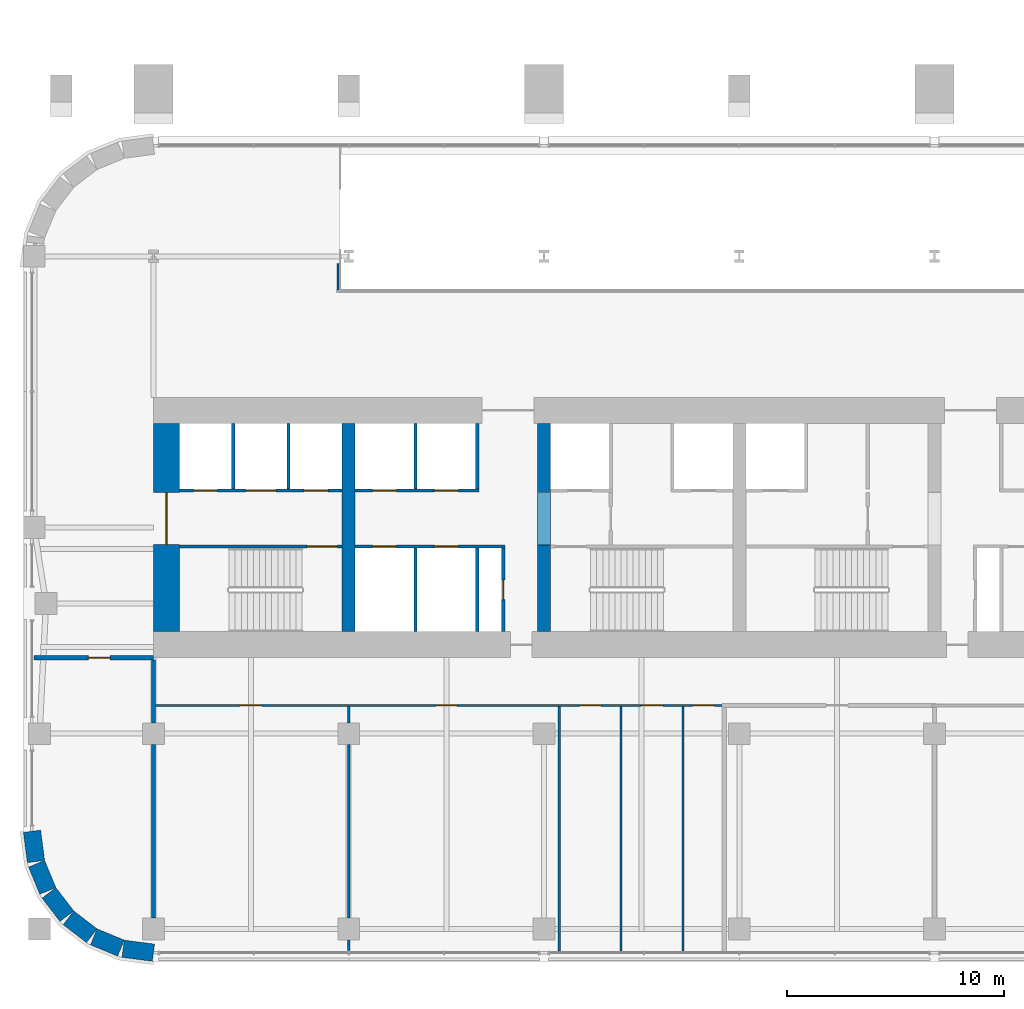
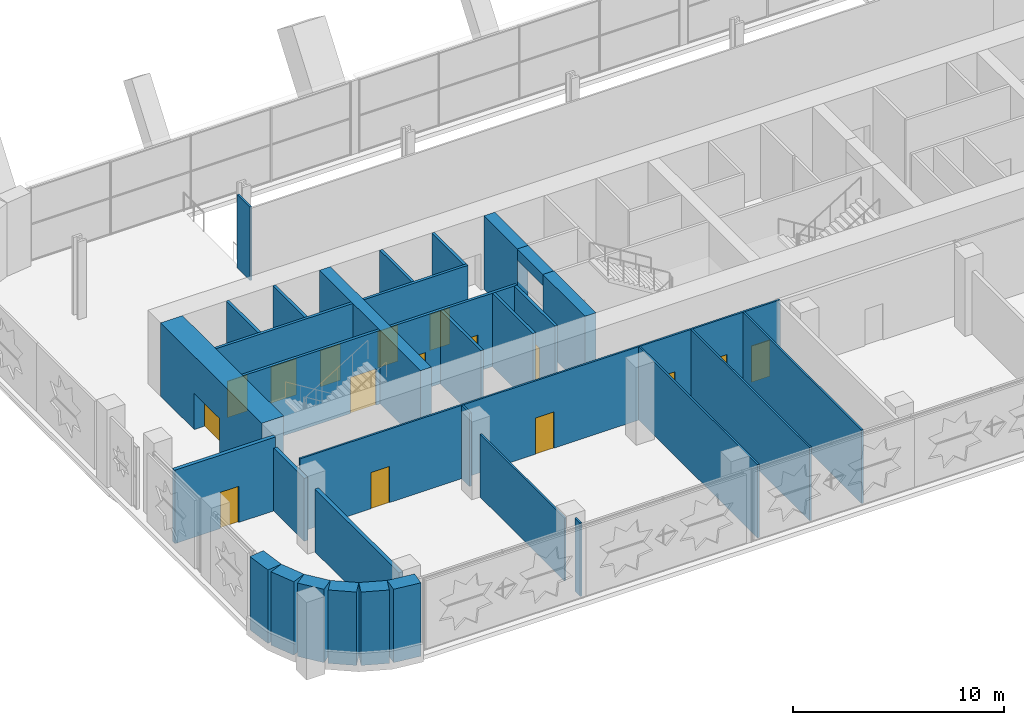
# One storey, part 13 of 21: 33 walls, 16 doors, 16 openings.
"""IFC4 building model written with IfcOpenShell, lengths in metres."""

import ifcopenshell
import ifcopenshell.guid

model = None  # the IFC model being written
_history = None  # IfcOwnerHistory: only IFC2X3 demands one
_inside = {}  # id of a spatial element -> (the spatial element, [elements in it])
_under = {}  # id of a project, library or spatial element -> (it, [spatial elements below it])
_declared = {}  # id of a project -> (the project, [libraries it declares])
_typed = {}  # id of a type object -> (the type object, [elements of that type])
_made_of = {}  # id of a material, layer set ... -> (it, [elements and type objects made of it])


def new_model(schema):
    """Start an empty IFC model of exactly this schema.

    Asked for "IFC4X3", IfcOpenShell would pick the latest addendum, in which some entities
    have other attributes; the version numbers below select the first issue.
    IFC2X3 requires an IfcOwnerHistory on every rooted entity: one is made here for all.
    """
    global model, _history
    if schema == "IFC4X3":
        model = ifcopenshell.file(schema_version=(4, 3, 0, 0))
    else:
        model = ifcopenshell.file(schema=schema)
    _inside.clear()
    _under.clear()
    _declared.clear()
    _typed.clear()
    _made_of.clear()
    _history = None
    if model.schema == "IFC2X3":
        org = make("IfcOrganization", Name="unknown")
        user = make(
            "IfcPersonAndOrganization",
            ThePerson=make("IfcPerson", FamilyName="unknown"),
            TheOrganization=org,
        )
        app = make(
            "IfcApplication",
            ApplicationDeveloper=org,
            Version="unknown",
            ApplicationFullName="unknown",
            ApplicationIdentifier="unknown",
        )
        _history = make(
            "IfcOwnerHistory",
            OwningUser=user,
            OwningApplication=app,
            ChangeAction="ADDED",
            CreationDate=0,
        )
    return model


def make(cls, **values):
    """One entity of the class cls with the attributes given. An attribute that is None is left unset."""
    return model.create_entity(
        cls, **{name: value for name, value in values.items() if value is not None}
    )


def rooted(cls, **values):
    """An entity with a GlobalId (a new one), such as an element, a storey or a relation."""
    return make(cls, GlobalId=ifcopenshell.guid.new(), OwnerHistory=_history, **values)


def si_unit(unit_type, name, prefix=None):
    """IfcSIUnit, for example si_unit("LENGTHUNIT", "METRE", prefix="MILLI")."""
    return make("IfcSIUnit", UnitType=unit_type, Prefix=prefix, Name=name)


def assignment(units):
    """IfcUnitAssignment: the units of a project."""
    return None if units is None else make("IfcUnitAssignment", Units=units)


def point(xyz):
    """IfcCartesianPoint."""
    return None if xyz is None else make("IfcCartesianPoint", Coordinates=xyz)


def direction(xyz):
    """IfcDirection."""
    return None if xyz is None else make("IfcDirection", DirectionRatios=xyz)


def frame(location, z_axis=None, x_axis=None):
    """IfcAxis2Placement3D, a coordinate frame: its origin and axes. An axis left out is left unset."""
    return make(
        "IfcAxis2Placement3D",
        Location=point(location),
        Axis=direction(z_axis),
        RefDirection=direction(x_axis),
    )


def frame_2d(location, x_axis=None):
    """IfcAxis2Placement2D, a coordinate frame in the plane: its origin and x axis."""
    return make(
        "IfcAxis2Placement2D", Location=point(location), RefDirection=direction(x_axis)
    )


def origin():
    """The frame at (0, 0, 0) with its axes left unset."""
    return frame((0.0, 0.0, 0.0))


def place(relative_to, where):
    """IfcLocalPlacement: puts the frame where relative to a parent placement (None: the world)."""
    return make(
        "IfcLocalPlacement", PlacementRelTo=relative_to, RelativePlacement=where
    )


def context(
    kind, dimensions, precision=None, world=None, true_north=None, identifier=None
):
    """IfcGeometricRepresentationContext, for example the 3D "Model" context."""
    return make(
        "IfcGeometricRepresentationContext",
        ContextIdentifier=identifier,
        ContextType=kind,
        CoordinateSpaceDimension=dimensions,
        Precision=precision,
        WorldCoordinateSystem=world,
        TrueNorth=true_north,
    )


def subcontext(parent, identifier, kind, view, scale=None):
    """IfcGeometricRepresentationSubContext, for example "Body" below "Model"."""
    return make(
        "IfcGeometricRepresentationSubContext",
        ContextIdentifier=identifier,
        ContextType=kind,
        ParentContext=parent,
        TargetScale=scale,
        TargetView=view,
    )


def project(units=None, contexts=None):
    """IfcProject with its units and contexts."""
    return rooted(
        "IfcProject",
        Name="project",
        RepresentationContexts=contexts,
        UnitsInContext=assignment(units),
    )


def spatial(cls, under=None, at=None, **own):
    """A site, building, storey or space (cls), placed at a placement, below another one or the project."""
    s = rooted(cls, ObjectPlacement=at, **own)
    if under is not None:
        _under.setdefault(under.id(), (under, []))[1].append(s)
    return s


def profile(cls, at=None, kind="AREA", **sizes):
    """A parametric profile (cls). Its sizes go by their IFC names, for example OverallWidth=200.0."""
    return make(cls, ProfileType=kind, Position=at, **sizes)


def rectangle(**sizes):
    """IfcRectangleProfileDef."""
    return profile("IfcRectangleProfileDef", **sizes)


def extrude(swept, where, along, depth):
    """IfcExtrudedAreaSolid: the profile swept, set in the frame where, extruded along a direction by depth."""
    return make(
        "IfcExtrudedAreaSolid",
        SweptArea=swept,
        Position=where,
        ExtrudedDirection=direction(along),
        Depth=depth,
    )


def shape(context_of_items, identifier, shape_type, items):
    """IfcShapeRepresentation: the items that make up one representation, for example the "Body"."""
    return make(
        "IfcShapeRepresentation",
        ContextOfItems=context_of_items,
        RepresentationIdentifier=identifier,
        RepresentationType=shape_type,
        Items=items,
    )


def material(Name=None, Category=None):
    """IfcMaterial."""
    return make("IfcMaterial", Name=Name, Category=Category)


def layer(
    of_material, thickness, ventilated=None, Name=None, Category=None, Priority=None
):
    """IfcMaterialLayer: one layer of a wall or slab, of a material (None: an air gap)."""
    return make(
        "IfcMaterialLayer",
        Material=of_material,
        LayerThickness=thickness,
        IsVentilated=ventilated,
        Name=Name,
        Category=Category,
        Priority=Priority,
    )


def layer_set(layers, Name=None):
    """IfcMaterialLayerSet."""
    return make("IfcMaterialLayerSet", MaterialLayers=layers, LayerSetName=Name)


def made_of(thing, what):
    """Note that an element or type object is made of a material, layer set ...; save() writes the relation."""
    if what is not None:
        _made_of.setdefault(what.id(), (what, []))[1].append(thing)
    return thing


def type_object(cls, material=None, **own):
    """A type object (cls), such as IfcWallType, which elements share."""
    return made_of(rooted(cls, **own), material)


def element(
    cls,
    number,
    at=None,
    inside=None,
    cuts=None,
    type_object=None,
    material=None,
    context=None,
    identifier="Body",
    shape_type=None,
    held_by="IfcProductDefinitionShape",
    body=None,
    shapes=None,
    **own,
):
    """One element of the class cls, such as IfcWall. Its Tag is "e" and its number.

    at: its placement. inside: the storey or other place that contains it. cuts: it is an
    opening in that element (IfcRelVoidsElement). A single representation is given by context,
    identifier, shape_type and body (its items); several are given by shapes. held_by: the class
    of the entity that holds the representations. save() writes the other relations.
    """
    e = rooted(cls, Tag="e%d" % number, ObjectPlacement=at, **own)
    if body is not None:
        shapes = [shape(context, identifier, shape_type, body)]
    if shapes is not None:
        e.Representation = make(held_by, Representations=shapes)
    if inside is not None:
        _inside.setdefault(inside.id(), (inside, []))[1].append(e)
    if cuts is not None:
        rooted(
            "IfcRelVoidsElement", RelatingBuildingElement=cuts, RelatedOpeningElement=e
        )
    if type_object is not None:
        _typed.setdefault(type_object.id(), (type_object, []))[1].append(e)
    return made_of(e, material)


def fill(opening, filler):
    """IfcRelFillsElement: the door or window that sits in an opening."""
    return rooted(
        "IfcRelFillsElement",
        RelatingOpeningElement=opening,
        RelatedBuildingElement=filler,
    )


def aggregate(whole, parts):
    """IfcRelAggregates: a whole, such as a stair, and the parts it consists of."""
    return rooted("IfcRelAggregates", RelatingObject=whole, RelatedObjects=parts)


def save(model, path):
    """Write the relations noted so far, then the file.

    IfcRelAggregates (storeys below a building ...), IfcRelContainedInSpatialStructure (elements
    in a storey), IfcRelDefinesByType, IfcRelAssociatesMaterial and IfcRelDeclares: one each for
    every whole, place, type object, material and project.
    """
    for whole, parts in _under.values():
        aggregate(whole, parts)
    for where, things in _inside.values():
        rooted(
            "IfcRelContainedInSpatialStructure",
            RelatedElements=things,
            RelatingStructure=where,
        )
    for kind, things in _typed.values():
        rooted("IfcRelDefinesByType", RelatedObjects=things, RelatingType=kind)
    for what, things in _made_of.values():
        rooted("IfcRelAssociatesMaterial", RelatedObjects=things, RelatingMaterial=what)
    for by, libraries in _declared.values():
        rooted("IfcRelDeclares", RelatingContext=by, RelatedDefinitions=libraries)
    model.write(path)


model = new_model("IFC4")

# Units and contexts
model_context = context("Model", 3, precision=1e-05, world=origin(), true_north=direction((0.0, 1.0)))
body_context = subcontext(model_context, "Body", "Model", "MODEL_VIEW")
ifc_project = project(units=[si_unit("LENGTHUNIT", "METRE"), si_unit("AREAUNIT", "SQUARE_METRE"), si_unit("VOLUMEUNIT", "CUBIC_METRE"), si_unit("PLANEANGLEUNIT", "RADIAN"), si_unit("MASSUNIT", "GRAM", prefix="KILO")], contexts=[model_context])

# Site, building, storey
site_placement = place(None, origin())
site = spatial("IfcSite", under=ifc_project, at=site_placement, CompositionType="ELEMENT")
building_placement = place(site_placement, origin())
building = spatial("IfcBuilding", under=site, at=building_placement, Name="Zellij Exchange Tower", CompositionType="ELEMENT")
storey_placement = place(building_placement, frame((0.0, 0.0, 43.5)))
storey = spatial("IfcBuildingStorey", under=building, at=storey_placement, Name="L07", CompositionType="ELEMENT", Elevation=43.5)

# Walls
ifc_material_1 = material(Name="Concrete C70/85", Category="concrete")
ifc_layer_1 = layer(ifc_material_1, 0.60009765625)
ifc_layer_set_1 = layer_set([ifc_layer_1], Name="Concrete C70/85")
wall_type_1 = type_object("IfcWallType", Name="CORE-CW 600 C70/85", PredefinedType="SHEAR", material=ifc_layer_set_1)
wall_1_placement = place(storey_placement, frame((-18.0, -12.800048828125, 0.0), z_axis=(0.0, 0.0, 1.0), x_axis=(0.0, 1.0, 0.0)))
element("IfcWall", 1, at=wall_1_placement, inside=storey, type_object=wall_type_1, Name="Core cross wall x -18 L07", PredefinedType="SHEAR", context=body_context, shape_type="SweptSolid", body=[
    extrude(rectangle(XDim=9.60009765625, YDim=0.60009765625, at=frame_2d((4.800048828125, 0.0))), origin(), (0.0, 0.0, 1.0), 4.25),
])
wall_2_placement = place(storey_placement, frame((-9.0, -12.800048828125, 0.0), z_axis=(0.0, 0.0, 1.0), x_axis=(0.0, 1.0, 0.0)))
element("IfcWall", 2, at=wall_2_placement, inside=storey, type_object=wall_type_1, Name="Core cross wall pier x -9 a L07", PredefinedType="SHEAR", context=body_context, shape_type="SweptSolid", body=[
    extrude(rectangle(XDim=4.0, YDim=0.60009765625, at=frame_2d((2.0, 0.0))), origin(), (0.0, 0.0, 1.0), 4.25),
])
wall_3_placement = place(storey_placement, frame((-9.0, -6.375, 0.0), z_axis=(0.0, 0.0, 1.0), x_axis=(0.0, 1.0, 0.0)))
element("IfcWall", 3, at=wall_3_placement, inside=storey, type_object=wall_type_1, Name="Core cross wall pier x -9 b L07", PredefinedType="SHEAR", context=body_context, shape_type="SweptSolid", body=[
    extrude(rectangle(XDim=3.175048828125, YDim=0.60009765625, at=frame_2d((1.58740234375, 0.0))), origin(), (0.0, 0.0, 1.0), 4.25),
])
wall_4_placement = place(storey_placement, frame((-9.0, -8.800048828125, 3.60009765625), z_axis=(0.0, 0.0, 1.0), x_axis=(0.0, 1.0, 0.0)))
element("IfcWall", 4, at=wall_4_placement, inside=storey, type_object=wall_type_1, Name="Core cross wall over opening x -9 L07", PredefinedType="SHEAR", context=body_context, shape_type="SweptSolid", body=[
    extrude(rectangle(XDim=2.425048828125, YDim=0.60009765625, at=frame_2d((1.21240234375, 0.0))), origin(), (0.0, 0.0, 1.0), 0.64990234375),
])

# Wall, opening, door
ifc_material_2 = material(Name="Gypsum board partition")
ifc_layer_2 = layer(ifc_material_2, 0.14990234375)
ifc_layer_set_2 = layer_set([ifc_layer_2], Name="Gypsum board partition")
wall_type_2 = type_object("IfcWallType", Name="CORE-PW 150 Lift lobby wall", PredefinedType="PARTITIONING", material=ifc_layer_set_2)
wall_5_placement = place(storey_placement, frame((-10.875, -12.800048828125, 0.0), z_axis=(0.0, 0.0, 1.0), x_axis=(0.0, 1.0, 0.0)))
wall_5 = element("IfcWall", 5, at=wall_5_placement, inside=storey, type_object=wall_type_2, Name="Lift lobby wall L07", PredefinedType="PARTITIONING", context=body_context, shape_type="SweptSolid", body=[
    extrude(rectangle(XDim=3.85009765625, YDim=0.14990234375, at=frame_2d((1.925048828125, 0.0))), origin(), (0.0, 0.0, 1.0), 4.25),
])
opening_1_placement = place(wall_5_placement, frame((1.47509765625, 0.0, 0.0)))
opening_1 = element("IfcOpeningElement", 6, at=opening_1_placement, cuts=wall_5, Name="Opening CA-06.10", PredefinedType="OPENING", context=body_context, shape_type="SweptSolid", body=[
    extrude(rectangle(XDim=0.89990234375, YDim=2.10009765625, at=frame_2d((0.449951171875, 1.050048828125))), frame((0.0, 0.0869140625, 0.0), z_axis=(0.0, -1.0, 0.0), x_axis=(1.0, 0.0, 0.0)), (0.0, 0.0, 1.0), 0.173828125),
])
ifc_material_3 = material(Name="Hollow metal fire door")
door_type_1 = type_object("IfcDoorType", Name="CORE-D RD Riser door 900x2100 1.5 HR", OperationType="NOTDEFINED", PredefinedType="DOOR", material=ifc_material_3)
door_1_placement = place(opening_1_placement, origin())
door_1 = element("IfcDoor", 7, at=door_1_placement, inside=storey, type_object=door_type_1, Name="Riser door CA-06.10", OperationType="SINGLE_SWING_RIGHT", OverallHeight=2.10009765625, OverallWidth=0.89990234375, PredefinedType="DOOR", context=body_context, shape_type="SweptSolid", body=[
    extrude(rectangle(XDim=0.89990234375, YDim=2.10009765625, at=frame_2d((0.449951171875, 1.050048828125))), frame((0.0, 0.02490234375, 0.0), z_axis=(0.0, -1.0, 0.0), x_axis=(1.0, 0.0, 0.0)), (0.0, 0.0, 1.0), 0.050048828125),
])
fill(opening_1, door_1)

# Walls
ifc_material_4 = material(Name="Gypsum shaft wall system")
ifc_layer_3 = layer(ifc_material_4, 0.14990234375)
ifc_layer_set_3 = layer_set([ifc_layer_3], Name="Gypsum shaft wall system")
wall_type_3 = type_object("IfcWallType", Name="CORE-PW 150 Lift shaft wall", PredefinedType="PARTITIONING", material=ifc_layer_set_3)
for number, where, z_axis, x_axis, name in (
    (8, (-20.77490234375, -6.22509765625, 0.0), (0.0, 0.0, 1.0), (0.0, 1.0, 0.0), "Lift shaft wall L07"),
    (9, (-23.324951171875, -6.22509765625, 0.0), (0.0, 0.0, 1.0), (0.0, 1.0, 0.0), "Lift shaft wall L07"),
    (10, (-12.074951171875, -6.22509765625, 0.0), (0.0, 0.0, 1.0), (0.0, 1.0, 0.0), "Lift shaft wall L07"),
    (11, (-14.925048828125, -6.22509765625, 0.0), (0.0, 0.0, 1.0), (0.0, 1.0, 0.0), "Lift shaft wall L07"),
):
    element("IfcWall", number, at=place(storey_placement, frame(where, z_axis=z_axis, x_axis=x_axis)), inside=storey, type_object=wall_type_3, Name=name, PredefinedType="PARTITIONING", context=body_context, shape_type="SweptSolid", body=[
        extrude(rectangle(XDim=3.025146484375, YDim=0.14990234375, at=frame_2d((1.5126953125, 0.0))), origin(), (0.0, 0.0, 1.0), 4.25),
    ])
for number, where, z_axis, x_axis, name in (
    (12, (-12.074951171875, -12.800048828125, 0.0), (0.0, 0.0, 1.0), (0.0, 1.0, 0.0), "Lift shaft wall L07"),
    (13, (-14.925048828125, -12.800048828125, 0.0), (0.0, 0.0, 1.0), (0.0, 1.0, 0.0), "Lift shaft wall L07"),
):
    element("IfcWall", number, at=place(storey_placement, frame(where, z_axis=z_axis, x_axis=x_axis)), inside=storey, type_object=wall_type_3, Name=name, PredefinedType="PARTITIONING", context=body_context, shape_type="SweptSolid", body=[
        extrude(rectangle(XDim=3.85009765625, YDim=0.14990234375, at=frame_2d((1.925048828125, 0.0))), origin(), (0.0, 0.0, 1.0), 4.25),
    ])

# Wall, openings, doors
wall_6_placement = place(storey_placement, frame((-25.800048828125, -6.300048828125, 0.0), z_axis=(0.0, 0.0, 1.0), x_axis=(1.0, 0.0, 0.0)))
wall_6 = element("IfcWall", 14, at=wall_6_placement, inside=storey, type_object=wall_type_3, Name="Lift shaft wall L07", PredefinedType="PARTITIONING", context=body_context, shape_type="SweptSolid", body=[
    extrude(rectangle(XDim=7.5, YDim=0.14990234375, at=frame_2d((3.75, 0.0))), origin(), (0.0, 0.0, 1.0), 4.25),
])
opening_2_placement = place(wall_6_placement, frame((0.64990234375, 0.0, 0.0)))
opening_2 = element("IfcOpeningElement", 15, at=opening_2_placement, cuts=wall_6, Name="Opening CA-06.02", PredefinedType="OPENING", context=body_context, shape_type="SweptSolid", body=[
    extrude(rectangle(XDim=1.10009765625, YDim=2.10009765625, at=frame_2d((0.550048828125, 1.050048828125))), frame((0.0, 0.0869140625, 0.0), z_axis=(0.0, -1.0, 0.0), x_axis=(1.0, 0.0, 0.0)), (0.0, 0.0, 1.0), 0.173828125),
])
opening_3_placement = place(wall_6_placement, frame((3.050048828125, 0.0, 0.0)))
opening_3 = element("IfcOpeningElement", 16, at=opening_3_placement, cuts=wall_6, Name="Opening CA-06.03", PredefinedType="OPENING", context=body_context, shape_type="SweptSolid", body=[
    extrude(rectangle(XDim=1.39990234375, YDim=2.10009765625, at=frame_2d((0.699951171875, 1.050048828125))), frame((0.0, 0.0869140625, 0.0), z_axis=(0.0, -1.0, 0.0), x_axis=(1.0, 0.0, 0.0)), (0.0, 0.0, 1.0), 0.173828125),
])
opening_4_placement = place(wall_6_placement, frame((5.75, 0.0, 0.0)))
opening_4 = element("IfcOpeningElement", 17, at=opening_4_placement, cuts=wall_6, Name="Opening CA-06.04", PredefinedType="OPENING", context=body_context, shape_type="SweptSolid", body=[
    extrude(rectangle(XDim=1.10009765625, YDim=2.10009765625, at=frame_2d((0.550048828125, 1.050048828125))), frame((0.0, 0.0869140625, 0.0), z_axis=(0.0, -1.0, 0.0), x_axis=(1.0, 0.0, 0.0)), (0.0, 0.0, 1.0), 0.173828125),
])
door_type_2 = type_object("IfcDoorType", Name="CORE-D LD Lift landing door 1100x2100 1.5 HR", OperationType="NOTDEFINED", PredefinedType="DOOR", material=ifc_material_3)
door_2_placement = place(opening_2_placement, origin())
door_2 = element("IfcDoor", 18, at=door_2_placement, inside=storey, type_object=door_type_2, Name="Lift landing door CA-06.02", OperationType="SLIDING_TO_RIGHT", OverallHeight=2.10009765625, OverallWidth=1.10009765625, PredefinedType="DOOR", context=body_context, shape_type="SweptSolid", body=[
    extrude(rectangle(XDim=1.10009765625, YDim=2.10009765625, at=frame_2d((0.550048828125, 1.050048828125))), frame((0.0, 0.02490234375, 0.0), z_axis=(0.0, -1.0, 0.0), x_axis=(1.0, 0.0, 0.0)), (0.0, 0.0, 1.0), 0.050048828125),
])
fill(opening_2, door_2)
door_3_placement = place(opening_4_placement, origin())
door_3 = element("IfcDoor", 19, at=door_3_placement, inside=storey, type_object=door_type_2, Name="Lift landing door CA-06.04", OperationType="SLIDING_TO_RIGHT", OverallHeight=2.10009765625, OverallWidth=1.10009765625, PredefinedType="DOOR", context=body_context, shape_type="SweptSolid", body=[
    extrude(rectangle(XDim=1.10009765625, YDim=2.10009765625, at=frame_2d((0.550048828125, 1.050048828125))), frame((0.0, 0.02490234375, 0.0), z_axis=(0.0, -1.0, 0.0), x_axis=(1.0, 0.0, 0.0)), (0.0, 0.0, 1.0), 0.050048828125),
])
fill(opening_4, door_3)
door_type_3 = type_object("IfcDoorType", Name="CORE-D LD2 Service lift landing door 1400x2100 1.5 HR", OperationType="NOTDEFINED", PredefinedType="DOOR", material=ifc_material_3)
door_4_placement = place(opening_3_placement, origin())
door_4 = element("IfcDoor", 20, at=door_4_placement, inside=storey, type_object=door_type_3, Name="Service lift landing door CA-06.03", OperationType="SLIDING_TO_LEFT", OverallHeight=2.10009765625, OverallWidth=1.39990234375, PredefinedType="DOOR", context=body_context, shape_type="SweptSolid", body=[
    extrude(rectangle(XDim=1.39990234375, YDim=2.10009765625, at=frame_2d((0.699951171875, 1.050048828125))), frame((0.0, 0.02490234375, 0.0), z_axis=(0.0, -1.0, 0.0), x_axis=(1.0, 0.0, 0.0)), (0.0, 0.0, 1.0), 0.050048828125),
])
fill(opening_3, door_4)

wall_7_placement = place(storey_placement, frame((-17.699951171875, -6.300048828125, 0.0), z_axis=(0.0, 0.0, 1.0), x_axis=(1.0, 0.0, 0.0)))
wall_7 = element("IfcWall", 21, at=wall_7_placement, inside=storey, type_object=wall_type_3, Name="Lift shaft wall L07", PredefinedType="PARTITIONING", context=body_context, shape_type="SweptSolid", body=[
    extrude(rectangle(XDim=5.699951171875, YDim=0.14990234375, at=frame_2d((2.85009765625, 0.0))), origin(), (0.0, 0.0, 1.0), 4.25),
])
opening_5_placement = place(wall_7_placement, frame((0.800048828125, 0.0, 0.0)))
opening_5 = element("IfcOpeningElement", 22, at=opening_5_placement, cuts=wall_7, Name="Opening CA-06.07", PredefinedType="OPENING", context=body_context, shape_type="SweptSolid", body=[
    extrude(rectangle(XDim=1.10009765625, YDim=2.10009765625, at=frame_2d((0.550048828125, 1.050048828125))), frame((0.0, 0.0869140625, 0.0), z_axis=(0.0, -1.0, 0.0), x_axis=(1.0, 0.0, 0.0)), (0.0, 0.0, 1.0), 0.173828125),
])
opening_6_placement = place(wall_7_placement, frame((3.64990234375, 0.0, 0.0)))
opening_6 = element("IfcOpeningElement", 23, at=opening_6_placement, cuts=wall_7, Name="Opening CA-06.09", PredefinedType="OPENING", context=body_context, shape_type="SweptSolid", body=[
    extrude(rectangle(XDim=1.10009765625, YDim=2.10009765625, at=frame_2d((0.550048828125, 1.050048828125))), frame((0.0, 0.0869140625, 0.0), z_axis=(0.0, -1.0, 0.0), x_axis=(1.0, 0.0, 0.0)), (0.0, 0.0, 1.0), 0.173828125),
])
door_5_placement = place(opening_5_placement, origin())
door_5 = element("IfcDoor", 24, at=door_5_placement, inside=storey, type_object=door_type_2, Name="Lift landing door CA-06.07", OperationType="SLIDING_TO_LEFT", OverallHeight=2.10009765625, OverallWidth=1.10009765625, PredefinedType="DOOR", context=body_context, shape_type="SweptSolid", body=[
    extrude(rectangle(XDim=1.10009765625, YDim=2.10009765625, at=frame_2d((0.550048828125, 1.050048828125))), frame((0.0, 0.02490234375, 0.0), z_axis=(0.0, -1.0, 0.0), x_axis=(1.0, 0.0, 0.0)), (0.0, 0.0, 1.0), 0.050048828125),
])
fill(opening_5, door_5)
door_6_placement = place(opening_6_placement, origin())
door_6 = element("IfcDoor", 25, at=door_6_placement, inside=storey, type_object=door_type_2, Name="Lift landing door CA-06.09", OperationType="SLIDING_TO_LEFT", OverallHeight=2.10009765625, OverallWidth=1.10009765625, PredefinedType="DOOR", context=body_context, shape_type="SweptSolid", body=[
    extrude(rectangle(XDim=1.10009765625, YDim=2.10009765625, at=frame_2d((0.550048828125, 1.050048828125))), frame((0.0, 0.02490234375, 0.0), z_axis=(0.0, -1.0, 0.0), x_axis=(1.0, 0.0, 0.0)), (0.0, 0.0, 1.0), 0.050048828125),
])
fill(opening_6, door_6)

wall_8_placement = place(storey_placement, frame((-17.699951171875, -8.875, 0.0), z_axis=(0.0, 0.0, 1.0), x_axis=(1.0, 0.0, 0.0)))
wall_8 = element("IfcWall", 26, at=wall_8_placement, inside=storey, type_object=wall_type_3, Name="Lift shaft wall L07", PredefinedType="PARTITIONING", context=body_context, shape_type="SweptSolid", body=[
    extrude(rectangle(XDim=6.89990234375, YDim=0.14990234375, at=frame_2d((3.449951171875, 0.0))), origin(), (0.0, 0.0, 1.0), 4.25),
])
opening_7_placement = place(wall_8_placement, frame((0.800048828125, 0.0, 0.0)))
opening_7 = element("IfcOpeningElement", 27, at=opening_7_placement, cuts=wall_8, Name="Opening CA-06.06", PredefinedType="OPENING", context=body_context, shape_type="SweptSolid", body=[
    extrude(rectangle(XDim=1.10009765625, YDim=2.10009765625, at=frame_2d((0.550048828125, 1.050048828125))), frame((0.0, 0.0869140625, 0.0), z_axis=(0.0, -1.0, 0.0), x_axis=(1.0, 0.0, 0.0)), (0.0, 0.0, 1.0), 0.173828125),
])
opening_8_placement = place(wall_8_placement, frame((3.64990234375, 0.0, 0.0)))
opening_8 = element("IfcOpeningElement", 28, at=opening_8_placement, cuts=wall_8, Name="Opening CA-06.08", PredefinedType="OPENING", context=body_context, shape_type="SweptSolid", body=[
    extrude(rectangle(XDim=1.10009765625, YDim=2.10009765625, at=frame_2d((0.550048828125, 1.050048828125))), frame((0.0, 0.0869140625, 0.0), z_axis=(0.0, -1.0, 0.0), x_axis=(1.0, 0.0, 0.0)), (0.0, 0.0, 1.0), 0.173828125),
])
door_7_placement = place(opening_7_placement, origin())
door_7 = element("IfcDoor", 29, at=door_7_placement, inside=storey, type_object=door_type_2, Name="Lift landing door CA-06.06", OperationType="SLIDING_TO_RIGHT", OverallHeight=2.10009765625, OverallWidth=1.10009765625, PredefinedType="DOOR", context=body_context, shape_type="SweptSolid", body=[
    extrude(rectangle(XDim=1.10009765625, YDim=2.10009765625, at=frame_2d((0.550048828125, 1.050048828125))), frame((0.0, 0.02490234375, 0.0), z_axis=(0.0, -1.0, 0.0), x_axis=(1.0, 0.0, 0.0)), (0.0, 0.0, 1.0), 0.050048828125),
])
fill(opening_7, door_7)
door_8_placement = place(opening_8_placement, origin())
door_8 = element("IfcDoor", 30, at=door_8_placement, inside=storey, type_object=door_type_2, Name="Lift landing door CA-06.08", OperationType="SLIDING_TO_RIGHT", OverallHeight=2.10009765625, OverallWidth=1.10009765625, PredefinedType="DOOR", context=body_context, shape_type="SweptSolid", body=[
    extrude(rectangle(XDim=1.10009765625, YDim=2.10009765625, at=frame_2d((0.550048828125, 1.050048828125))), frame((0.0, 0.02490234375, 0.0), z_axis=(0.0, -1.0, 0.0), x_axis=(1.0, 0.0, 0.0)), (0.0, 0.0, 1.0), 0.050048828125),
])
fill(opening_8, door_8)

# Wall, opening, door
ifc_layer_4 = layer(ifc_material_1, 1.199951171875)
ifc_layer_set_4 = layer_set([ifc_layer_4], Name="Concrete C70/85")
wall_type_4 = type_object("IfcWallType", Name="CORE-SW 1200 C70/85", PredefinedType="SHEAR", material=ifc_layer_set_4)
wall_9_placement = place(storey_placement, frame((-26.39990234375, -12.800048828125, 0.0), z_axis=(0.0, 0.0, 1.0), x_axis=(0.0, 1.0, 0.0)))
wall_9 = element("IfcWall", 31, at=wall_9_placement, inside=storey, type_object=wall_type_4, Name="Core shear wall end w L07", PredefinedType="SHEAR", context=body_context, shape_type="SweptSolid", body=[
    extrude(rectangle(XDim=9.60009765625, YDim=1.199951171875, at=frame_2d((4.800048828125, 0.0))), origin(), (0.0, 0.0, 1.0), 4.25),
])
opening_9_placement = place(wall_9_placement, frame((4.011962890625, 0.0, 0.0)))
opening_9 = element("IfcOpeningElement", 32, at=opening_9_placement, cuts=wall_9, Name="Opening CA-06.01", PredefinedType="OPENING", context=body_context, shape_type="SweptSolid", body=[
    extrude(rectangle(XDim=2.39990234375, YDim=2.10009765625, at=frame_2d((1.199951171875, 1.050048828125))), frame((0.0, 0.61181640625, 0.0), z_axis=(0.0, -1.0, 0.0), x_axis=(1.0, 0.0, 0.0)), (0.0, 0.0, 1.0), 1.223876953125),
])
door_type_4 = type_object("IfcDoorType", Name="CORE-D CE Core entrance door 2400x2100 20 MIN", OperationType="NOTDEFINED", PredefinedType="DOOR", material=ifc_material_3)
door_9_placement = place(opening_9_placement, origin())
door_9 = element("IfcDoor", 33, at=door_9_placement, inside=storey, type_object=door_type_4, Name="Core entrance door CA-06.01", OperationType="DOUBLE_DOOR_SINGLE_SWING", OverallHeight=2.10009765625, OverallWidth=2.39990234375, PredefinedType="DOOR", context=body_context, shape_type="SweptSolid", body=[
    extrude(rectangle(XDim=2.39990234375, YDim=2.10009765625, at=frame_2d((1.199951171875, 1.050048828125))), frame((0.0, 0.02490234375, 0.0), z_axis=(0.0, -1.0, 0.0), x_axis=(1.0, 0.0, 0.0)), (0.0, 0.0, 1.0), 0.050048828125),
])
fill(opening_9, door_9)

ifc_layer_5 = layer(ifc_material_1, 0.14990234375)
ifc_layer_set_5 = layer_set([ifc_layer_5], Name="Concrete C70/85")
wall_type_5 = type_object("IfcWallType", Name="CORE-SWS 150 C70/85", PredefinedType="SHEAR", material=ifc_layer_set_5)
wall_10_placement = place(storey_placement, frame((-25.800048828125, -8.875, 0.0), z_axis=(0.0, 0.0, 1.0), x_axis=(1.0, 0.0, 0.0)))
wall_10 = element("IfcWall", 34, at=wall_10_placement, inside=storey, type_object=wall_type_5, Name="Stair enclosure wall L07", PredefinedType="SHEAR", context=body_context, shape_type="SweptSolid", body=[
    extrude(rectangle(XDim=7.5, YDim=0.14990234375, at=frame_2d((3.75, 0.0))), origin(), (0.0, 0.0, 1.0), 4.25),
])
opening_10_placement = place(wall_10_placement, frame((5.875, 0.0, 0.0)))
opening_10 = element("IfcOpeningElement", 35, at=opening_10_placement, cuts=wall_10, Name="Opening CA-06.05", PredefinedType="OPENING", context=body_context, shape_type="SweptSolid", body=[
    extrude(rectangle(XDim=1.39990234375, YDim=2.10009765625, at=frame_2d((0.699951171875, 1.050048828125))), frame((0.0, 0.0869140625, 0.0), z_axis=(0.0, -1.0, 0.0), x_axis=(1.0, 0.0, 0.0)), (0.0, 0.0, 1.0), 0.173828125),
])
door_type_5 = type_object("IfcDoorType", Name="CORE-D SD Stair door 1400x2100 1.5 HR", OperationType="NOTDEFINED", PredefinedType="DOOR", material=ifc_material_3)
door_10_placement = place(opening_10_placement, origin())
door_10 = element("IfcDoor", 36, at=door_10_placement, inside=storey, type_object=door_type_5, Name="Stair door CA-06.05", OperationType="DOUBLE_DOOR_SINGLE_SWING", OverallHeight=2.10009765625, OverallWidth=1.39990234375, PredefinedType="DOOR", context=body_context, shape_type="SweptSolid", body=[
    extrude(rectangle(XDim=1.39990234375, YDim=2.10009765625, at=frame_2d((0.699951171875, 1.050048828125))), frame((0.0, 0.02490234375, 0.0), z_axis=(0.0, -1.0, 0.0), x_axis=(1.0, 0.0, 0.0)), (0.0, 0.0, 1.0), 0.050048828125),
])
fill(opening_10, door_10)

# Walls
ifc_material_5 = material(Name="Precast concrete C40/50", Category="concrete")
ifc_layer_6 = layer(ifc_material_5, 0.800048828125)
ifc_layer_set_6 = layer_set([ifc_layer_6], Name="Precast concrete C40/50")
wall_type_6 = type_object("IfcWallType", Name="ENV-EW1 Precast stone-piered wall 800", PredefinedType="SOLIDWALL", material=ifc_layer_set_6)
wall_11_placement = place(storey_placement, frame((-32.5966796875, -21.999755859375, 0.0), z_axis=(0.0, 0.0, 1.0), x_axis=(0.130517283865, -0.99144603414, 0.0)))
element("IfcWall", 37, at=wall_11_placement, inside=storey, type_object=wall_type_6, Name="fac.L07.22", PredefinedType="SOLIDWALL", context=body_context, shape_type="SweptSolid", body=[
    extrude(rectangle(XDim=1.408447265625, YDim=0.800048828125, at=frame_2d((0.7041015625, 0.0))), origin(), (0.0, 0.0, 1.0), 4.25),
])
wall_12_placement = place(storey_placement, frame((-32.3857421875, -23.497314453125, 0.0), z_axis=(0.0, 0.0, 1.0), x_axis=(0.38276009378, -0.923847774587, 0.0)))
element("IfcWall", 38, at=wall_12_placement, inside=storey, type_object=wall_type_6, Name="fac.L07.23", PredefinedType="SOLIDWALL", context=body_context, shape_type="SweptSolid", body=[
    extrude(rectangle(XDim=1.35546875, YDim=0.800048828125, at=frame_2d((0.677734375, 0.0))), origin(), (0.0, 0.0, 1.0), 4.25),
])
for number, where, z_axis, x_axis, name in (
    (39, (-31.814697265625, -24.840087890625, 0.0), (0.0, 0.0, 1.0), (0.608866226366, -0.793272915452, 0.0), "fac.L07.24"),
    (40, (-30.91552734375, -25.9892578125, 0.0), (0.0, 0.0, 1.0), (0.793272915452, -0.608866226366, 0.0), "fac.L07.25"),
):
    element("IfcWall", number, at=place(storey_placement, frame(where, z_axis=z_axis, x_axis=x_axis)), inside=storey, type_object=wall_type_6, Name=name, PredefinedType="SOLIDWALL", context=body_context, shape_type="SweptSolid", body=[
        extrude(rectangle(XDim=1.355712890625, YDim=0.800048828125, at=frame_2d((0.677734375, 0.0))), origin(), (0.0, 0.0, 1.0), 4.25),
    ])
wall_13_placement = place(storey_placement, frame((-29.74951171875, -26.866943359375, 0.0), z_axis=(0.0, 0.0, 1.0), x_axis=(0.923847774587, -0.38276009378, 0.0)))
element("IfcWall", 41, at=wall_13_placement, inside=storey, type_object=wall_type_6, Name="fac.L07.26", PredefinedType="SOLIDWALL", context=body_context, shape_type="SweptSolid", body=[
    extrude(rectangle(XDim=1.35546875, YDim=0.800048828125, at=frame_2d((0.677734375, 0.0))), origin(), (0.0, 0.0, 1.0), 4.25),
])
wall_14_placement = place(storey_placement, frame((-28.396240234375, -27.412841796875, 0.0), z_axis=(0.0, 0.0, 1.0), x_axis=(0.99144603414, -0.130517283865, 0.0)))
element("IfcWall", 42, at=wall_14_placement, inside=storey, type_object=wall_type_6, Name="fac.L07.27", PredefinedType="SOLIDWALL", context=body_context, shape_type="SweptSolid", body=[
    extrude(rectangle(XDim=1.408447265625, YDim=0.800048828125, at=frame_2d((0.7041015625, 0.0))), origin(), (0.0, 0.0, 1.0), 4.25),
])
ifc_material_6 = material(Name="Blockwork partition", Category="masonry")
ifc_layer_7 = layer(ifc_material_6, 0.199951171875)
ifc_layer_set_7 = layer_set([ifc_layer_7], Name="Blockwork partition")
wall_type_7 = type_object("IfcWallType", Name="FIT-BLOCKWORK-200", PredefinedType="PARTITIONING", material=ifc_layer_set_7)
wall_15_placement = place(storey_placement, frame((-27.0, -26.0, 0.0), z_axis=(0.0, 0.0, 1.0), x_axis=(0.0, 1.0, 0.0)))
element("IfcWall", 43, at=wall_15_placement, inside=storey, type_object=wall_type_7, Name="FIT-BLOCKWORK-200 010", PredefinedType="PARTITIONING", context=body_context, shape_type="SweptSolid", body=[
    extrude(rectangle(XDim=8.0, YDim=0.199951171875, at=frame_2d((4.0, 0.0))), origin(), (0.0, 0.0, 1.0), 3.637939453125),
])
wall_16_placement = place(storey_placement, frame((-27.0, -17.0, 0.0), z_axis=(0.0, 0.0, 1.0), x_axis=(0.0, 1.0, 0.0)))
element("IfcWall", 44, at=wall_16_placement, inside=storey, type_object=wall_type_7, Name="FIT-BLOCKWORK-200 011", PredefinedType="PARTITIONING", context=body_context, shape_type="SweptSolid", body=[
    extrude(rectangle(XDim=2.89990234375, YDim=0.199951171875, at=frame_2d((1.449951171875, 0.0))), origin(), (0.0, 0.0, 1.0), 3.637939453125),
])

# Wall, opening, door
wall_17_placement = place(storey_placement, frame((-32.51611328125, -14.0, 0.0), z_axis=(0.0, 0.0, 1.0), x_axis=(1.0, 0.0, 0.0)))
wall_17 = element("IfcWall", 45, at=wall_17_placement, inside=storey, type_object=wall_type_7, Name="FIT-BLOCKWORK-200 017", PredefinedType="PARTITIONING", context=body_context, shape_type="SweptSolid", body=[
    extrude(rectangle(XDim=5.51611328125, YDim=0.199951171875, at=frame_2d((2.758056640625, 0.0))), origin(), (0.0, 0.0, 1.0), 4.25),
])
opening_11_placement = place(wall_17_placement, frame((2.51611328125, 0.0, 0.0)))
opening_11 = element("IfcOpeningElement", 46, at=opening_11_placement, cuts=wall_17, Name="Opening G7.08", PredefinedType="OPENING", context=body_context, shape_type="SweptSolid", body=[
    extrude(rectangle(XDim=1.0, YDim=2.10009765625, at=frame_2d((0.5, 1.050048828125))), frame((0.0, 0.11181640625, 0.0), z_axis=(0.0, -1.0, 0.0), x_axis=(1.0, 0.0, 0.0)), (0.0, 0.0, 1.0), 0.223876953125),
])
ifc_material_7 = material(Name="Timber door set", Category="wood")
door_type_6 = type_object("IfcDoorType", Name="FIT-D2-WIDE-1000X2100", OperationType="SINGLE_SWING_LEFT", PredefinedType="DOOR", material=ifc_material_7)
door_11_placement = place(opening_11_placement, origin())
door_11 = element("IfcDoor", 47, at=door_11_placement, inside=storey, type_object=door_type_6, Name="Door G7.08", OperationType="SINGLE_SWING_LEFT", OverallHeight=2.10009765625, OverallWidth=1.0, PredefinedType="DOOR", context=body_context, shape_type="SweptSolid", body=[
    extrude(rectangle(XDim=1.0, YDim=2.10009765625, at=frame_2d((0.5, 1.050048828125))), frame((0.0, 0.02490234375, 0.0), z_axis=(0.0, -1.0, 0.0), x_axis=(1.0, 0.0, 0.0)), (0.0, 0.0, 1.0), 0.050048828125),
])
fill(opening_11, door_11)

# Walls
ifc_material_8 = material(Name="Gypsum board partition on steel studs", Category="steel")
ifc_layer_8 = layer(ifc_material_8, 0.10009765625)
ifc_layer_set_8 = layer_set([ifc_layer_8], Name="Gypsum board partition on steel studs")
wall_type_8 = type_object("IfcWallType", Name="FIT-PARTITION-100", PredefinedType="PARTITIONING", material=ifc_layer_set_8)
wall_18_placement = place(storey_placement, frame((-18.0, -27.5, 0.0), z_axis=(0.0, 0.0, 1.0), x_axis=(0.0, 1.0, 0.0)))
element("IfcWall", 48, at=wall_18_placement, inside=storey, type_object=wall_type_8, Name="FIT-PARTITION-100 001", PredefinedType="PARTITIONING", context=body_context, shape_type="SweptSolid", body=[
    extrude(rectangle(XDim=0.5, YDim=0.10009765625, at=frame_2d((0.25, 0.0))), origin(), (0.0, 0.0, 1.0), 4.25),
])
wall_19_placement = place(storey_placement, frame((-18.0, -26.0, 0.0), z_axis=(0.0, 0.0, 1.0), x_axis=(0.0, 1.0, 0.0)))
element("IfcWall", 49, at=wall_19_placement, inside=storey, type_object=wall_type_8, Name="FIT-PARTITION-100 002", PredefinedType="PARTITIONING", context=body_context, shape_type="SweptSolid", body=[
    extrude(rectangle(XDim=8.0, YDim=0.10009765625, at=frame_2d((4.0, 0.0))), origin(), (0.0, 0.0, 1.0), 3.637939453125),
])
wall_20_placement = place(storey_placement, frame((-18.0, -17.0, 0.0), z_axis=(0.0, 0.0, 1.0), x_axis=(0.0, 1.0, 0.0)))
element("IfcWall", 50, at=wall_20_placement, inside=storey, type_object=wall_type_8, Name="FIT-PARTITION-100 003", PredefinedType="PARTITIONING", context=body_context, shape_type="SweptSolid", body=[
    extrude(rectangle(XDim=0.75, YDim=0.10009765625, at=frame_2d((0.375, 0.0))), origin(), (0.0, 0.0, 1.0), 4.25),
])
for number, where, z_axis, x_axis, name in (
    (51, (-8.300048828125, -27.51611328125, 0.0), (0.0, 0.0, 1.0), (0.0, 1.0, 0.0), "FIT-PARTITION-100 004"),
    (52, (-5.449951171875, -27.51611328125, 0.0), (0.0, 0.0, 1.0), (0.0, 1.0, 0.0), "FIT-PARTITION-100 005"),
    (53, (-2.60009765625, -27.51611328125, 0.0), (0.0, 0.0, 1.0), (0.0, 1.0, 0.0), "FIT-PARTITION-100 006"),
):
    element("IfcWall", number, at=place(storey_placement, frame(where, z_axis=z_axis, x_axis=x_axis)), inside=storey, type_object=wall_type_8, Name=name, PredefinedType="PARTITIONING", context=body_context, shape_type="SweptSolid", body=[
        extrude(rectangle(XDim=11.26611328125, YDim=0.10009765625, at=frame_2d((5.633056640625, 0.0))), origin(), (0.0, 0.0, 1.0), 4.25),
    ])

# Wall, openings, doors
wall_21_placement = place(storey_placement, frame((-26.89990234375, -16.199951171875, 0.0), z_axis=(0.0, 0.0, 1.0), x_axis=(1.0, 0.0, 0.0)))
wall_21 = element("IfcWall", 54, at=wall_21_placement, inside=storey, type_object=wall_type_8, Name="FIT-PARTITION-100 014", PredefinedType="PARTITIONING", context=body_context, shape_type="SweptSolid", body=[
    extrude(rectangle(XDim=26.2998046875, YDim=0.10009765625, at=frame_2d((13.14990234375, 0.0))), origin(), (0.0, 0.0, 1.0), 4.25),
])
opening_12_placement = place(wall_21_placement, frame((3.89990234375, 0.0, 0.0)))
opening_12 = element("IfcOpeningElement", 55, at=opening_12_placement, cuts=wall_21, Name="Opening G7.01", PredefinedType="OPENING", context=body_context, shape_type="SweptSolid", body=[
    extrude(rectangle(XDim=1.0, YDim=2.10009765625, at=frame_2d((0.5, 1.050048828125))), frame((0.0, 0.06201171875, 0.0), z_axis=(0.0, -1.0, 0.0), x_axis=(1.0, 0.0, 0.0)), (0.0, 0.0, 1.0), 0.1240234375),
])
opening_13_placement = place(wall_21_placement, frame((12.89990234375, 0.0, 0.0)))
opening_13 = element("IfcOpeningElement", 56, at=opening_13_placement, cuts=wall_21, Name="Opening G7.02", PredefinedType="OPENING", context=body_context, shape_type="SweptSolid", body=[
    extrude(rectangle(XDim=1.0, YDim=2.10009765625, at=frame_2d((0.5, 1.050048828125))), frame((0.0, 0.06201171875, 0.0), z_axis=(0.0, -1.0, 0.0), x_axis=(1.0, 0.0, 0.0)), (0.0, 0.0, 1.0), 0.1240234375),
])
opening_14_placement = place(wall_21_placement, frame((19.52490234375, 0.0, 0.0)))
opening_14 = element("IfcOpeningElement", 57, at=opening_14_placement, cuts=wall_21, Name="Opening G7.03", PredefinedType="OPENING", context=body_context, shape_type="SweptSolid", body=[
    extrude(rectangle(XDim=1.0, YDim=2.10009765625, at=frame_2d((0.5, 1.050048828125))), frame((0.0, 0.06201171875, 0.0), z_axis=(0.0, -1.0, 0.0), x_axis=(1.0, 0.0, 0.0)), (0.0, 0.0, 1.0), 0.1240234375),
])
opening_15_placement = place(wall_21_placement, frame((22.375, 0.0, 0.0)))
opening_15 = element("IfcOpeningElement", 58, at=opening_15_placement, cuts=wall_21, Name="Opening G7.04", PredefinedType="OPENING", context=body_context, shape_type="SweptSolid", body=[
    extrude(rectangle(XDim=1.0, YDim=2.10009765625, at=frame_2d((0.5, 1.050048828125))), frame((0.0, 0.06201171875, 0.0), z_axis=(0.0, -1.0, 0.0), x_axis=(1.0, 0.0, 0.0)), (0.0, 0.0, 1.0), 0.1240234375),
])
opening_16_placement = place(wall_21_placement, frame((24.75, 0.0, 0.0)))
opening_16 = element("IfcOpeningElement", 59, at=opening_16_placement, cuts=wall_21, Name="Opening G7.05", PredefinedType="OPENING", context=body_context, shape_type="SweptSolid", body=[
    extrude(rectangle(XDim=1.0, YDim=2.10009765625, at=frame_2d((0.5, 1.050048828125))), frame((0.0, 0.06201171875, 0.0), z_axis=(0.0, -1.0, 0.0), x_axis=(1.0, 0.0, 0.0)), (0.0, 0.0, 1.0), 0.1240234375),
])
door_12_placement = place(opening_12_placement, origin())
door_12 = element("IfcDoor", 60, at=door_12_placement, inside=storey, type_object=door_type_6, Name="Door G7.01", OperationType="SINGLE_SWING_RIGHT", OverallHeight=2.10009765625, OverallWidth=1.0, PredefinedType="DOOR", context=body_context, shape_type="SweptSolid", body=[
    extrude(rectangle(XDim=1.0, YDim=2.10009765625, at=frame_2d((0.5, 1.050048828125))), frame((0.0, 0.02490234375, 0.0), z_axis=(0.0, -1.0, 0.0), x_axis=(1.0, 0.0, 0.0)), (0.0, 0.0, 1.0), 0.050048828125),
])
fill(opening_12, door_12)
door_13_placement = place(opening_13_placement, origin())
door_13 = element("IfcDoor", 61, at=door_13_placement, inside=storey, type_object=door_type_6, Name="Door G7.02", OperationType="SINGLE_SWING_RIGHT", OverallHeight=2.10009765625, OverallWidth=1.0, PredefinedType="DOOR", context=body_context, shape_type="SweptSolid", body=[
    extrude(rectangle(XDim=1.0, YDim=2.10009765625, at=frame_2d((0.5, 1.050048828125))), frame((0.0, 0.02490234375, 0.0), z_axis=(0.0, -1.0, 0.0), x_axis=(1.0, 0.0, 0.0)), (0.0, 0.0, 1.0), 0.050048828125),
])
fill(opening_13, door_13)
door_14_placement = place(opening_14_placement, origin())
door_14 = element("IfcDoor", 62, at=door_14_placement, inside=storey, type_object=door_type_6, Name="Door G7.03", OperationType="SINGLE_SWING_LEFT", OverallHeight=2.10009765625, OverallWidth=1.0, PredefinedType="DOOR", context=body_context, shape_type="SweptSolid", body=[
    extrude(rectangle(XDim=1.0, YDim=2.10009765625, at=frame_2d((0.5, 1.050048828125))), frame((0.0, 0.02490234375, 0.0), z_axis=(0.0, -1.0, 0.0), x_axis=(1.0, 0.0, 0.0)), (0.0, 0.0, 1.0), 0.050048828125),
])
fill(opening_14, door_14)
door_15_placement = place(opening_15_placement, origin())
door_15 = element("IfcDoor", 63, at=door_15_placement, inside=storey, type_object=door_type_6, Name="Door G7.04", OperationType="SINGLE_SWING_LEFT", OverallHeight=2.10009765625, OverallWidth=1.0, PredefinedType="DOOR", context=body_context, shape_type="SweptSolid", body=[
    extrude(rectangle(XDim=1.0, YDim=2.10009765625, at=frame_2d((0.5, 1.050048828125))), frame((0.0, 0.02490234375, 0.0), z_axis=(0.0, -1.0, 0.0), x_axis=(1.0, 0.0, 0.0)), (0.0, 0.0, 1.0), 0.050048828125),
])
fill(opening_15, door_15)
door_16_placement = place(opening_16_placement, origin())
door_16 = element("IfcDoor", 64, at=door_16_placement, inside=storey, type_object=door_type_6, Name="Door G7.05", OperationType="SINGLE_SWING_RIGHT", OverallHeight=2.10009765625, OverallWidth=1.0, PredefinedType="DOOR", context=body_context, shape_type="SweptSolid", body=[
    extrude(rectangle(XDim=1.0, YDim=2.10009765625, at=frame_2d((0.5, 1.050048828125))), frame((0.0, 0.02490234375, 0.0), z_axis=(0.0, -1.0, 0.0), x_axis=(1.0, 0.0, 0.0)), (0.0, 0.0, 1.0), 0.050048828125),
])
fill(opening_16, door_16)

# Wall
wall_22_placement = place(storey_placement, frame((-18.5, 2.949951171875, 0.0), z_axis=(0.0, 0.0, 1.0), x_axis=(0.0, 1.0, 0.0)))
element("IfcWall", 65, at=wall_22_placement, inside=storey, type_object=wall_type_8, Name="FIT-PARTITION-100 020", PredefinedType="PARTITIONING", context=body_context, shape_type="SweptSolid", body=[
    extrude(rectangle(XDim=1.219970703125, YDim=0.10009765625, at=frame_2d((0.60986328125, 0.0))), origin(), (0.0, 0.0, 1.0), 4.25),
])

save(model, "model.ifc")
